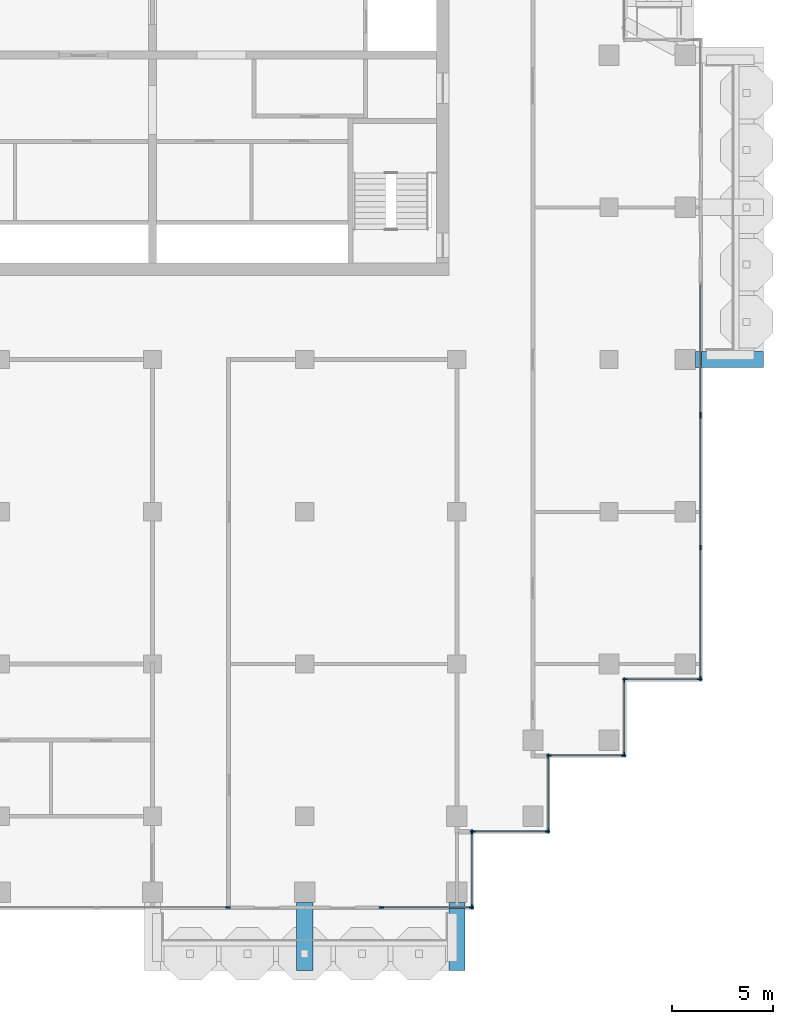
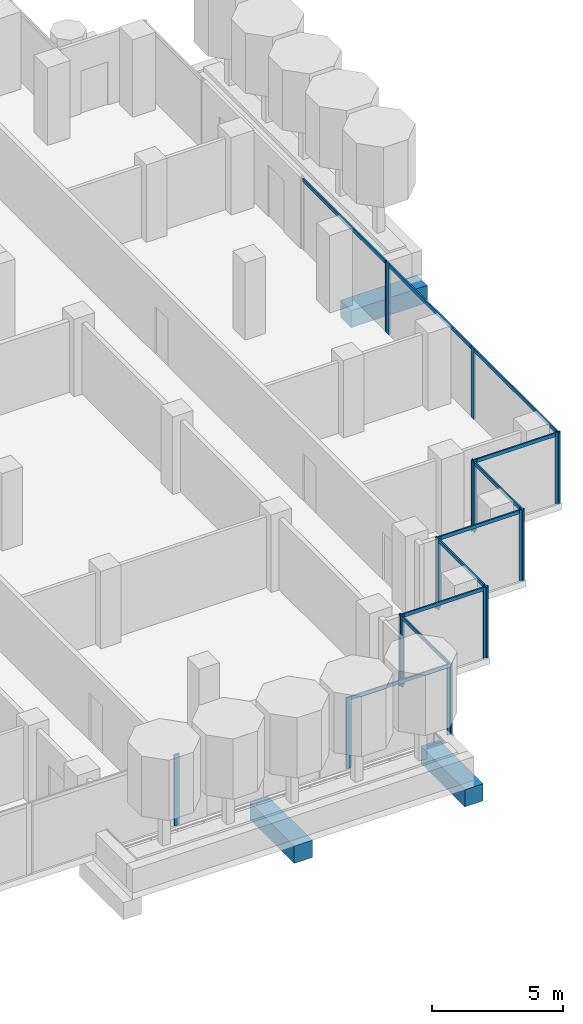
# One storey, part 4 of 18: 29 members, 3 beams, 10 elements without a shape of their own.
"""IFC4 building model written with IfcOpenShell, lengths in metres."""

from ifc_helpers import new_model, si_unit, direction, frame, origin, origin_2d, place, context, subcontext, project, spatial, rectangle, extrude, material, material_profile, profile_set, type_object, element, aggregate, save


model = new_model("IFC4")

# Units and contexts
model_context = context("Model", 3, precision=1e-05, world=origin(), true_north=direction((0.0, 1.0)))
body_context = subcontext(model_context, "Body", "Model", "MODEL_VIEW")
ifc_project = project(units=[si_unit("LENGTHUNIT", "METRE"), si_unit("AREAUNIT", "SQUARE_METRE"), si_unit("VOLUMEUNIT", "CUBIC_METRE"), si_unit("PLANEANGLEUNIT", "RADIAN"), si_unit("MASSUNIT", "GRAM", prefix="KILO")], contexts=[model_context])

# Site, building, storey
site_placement = place(None, origin())
site = spatial("IfcSite", under=ifc_project, at=site_placement, CompositionType="ELEMENT")
building_placement = place(site_placement, origin())
building = spatial("IfcBuilding", under=site, at=building_placement, Name="Pilkhan Gate Tower", CompositionType="ELEMENT")
storey_placement = place(building_placement, frame((0.0, 0.0, 210.300048828125)))
storey = spatial("IfcBuildingStorey", under=building, at=storey_placement, Name="L54", CompositionType="ELEMENT", Elevation=210.300048828125)

# Beams
ifc_material_1 = material(Name="Concrete C50/60", Category="concrete")
ifc_material_profile_1 = material_profile(ifc_material_1, rectangle(XDim=0.800048828125, YDim=0.800048828125, at=origin_2d()), Name="RC 800x800")
ifc_profile_set_1 = profile_set([ifc_material_profile_1], Name="Concrete C50/60")
beam_type = type_object("IfcBeamType", Name="Cantilever beam CB2 RC 800x800 C50/60", PredefinedType="BEAM", material=ifc_profile_set_1)
for number, where, z_axis, x_axis, name in (
    (1, (82.5, 40.75, -0.699951171875), (0.0, -1.0, 0.0), (1.0, 0.0, 0.0), "Balcony beam S.2 L54"),
    (2, (90.0, 40.75, -0.699951171875), (0.0, -1.0, 0.0), (1.0, 0.0, 0.0), "Balcony beam S.3 L54"),
    (3, (101.75, 67.5, -0.699951171875), (1.0, 0.0, 0.0), (0.0, 1.0, 0.0), "Balcony beam E.1 L54"),
):
    element("IfcBeam", number, at=place(storey_placement, frame(where, z_axis=z_axis, x_axis=x_axis)), inside=storey, type_object=beam_type, Name=name, PredefinedType="BEAM", context=body_context, shape_type="SweptSolid", body=[
        extrude(rectangle(XDim=0.800048828125, YDim=0.800048828125, at=origin_2d()), origin(), (0.0, 0.0, 1.0), 3.35009765625),
    ])

# Curtain wall, members
ifc_material_2 = material(Name="Pale anodised aluminium, clear low-iron double glazing", Category="aluminium")
curtain_wall_type = type_object("IfcCurtainWallType", Name="Office unitised curtain wall CW-O2", PredefinedType="USERDEFINED", material=ifc_material_2)
curtain_wall_1_placement = place(storey_placement, origin())
curtain_wall_1 = element("IfcCurtainWall", 4, at=curtain_wall_1_placement, inside=storey, type_object=curtain_wall_type, Name="Office unitised curtain wall CW-O2 L54 E", ObjectType="UNITISED CURTAIN WALL", PredefinedType="USERDEFINED")
ifc_material_3 = material(Name="Pale anodised aluminium", Category="aluminium")
ifc_material_profile_2 = material_profile(ifc_material_3, rectangle(XDim=0.06494140625, YDim=0.22509765625, at=origin_2d()), Name="Mullion 225x65")
ifc_profile_set_2 = profile_set([ifc_material_profile_2], Name="Pale anodised aluminium")
member_type_1 = type_object("IfcMemberType", Name="Mullion CW-O2 225x65", PredefinedType="MULLION", material=ifc_profile_set_2)
member_1_placement = place(storey_placement, frame((102.0, 51.782470703125, 0.0), z_axis=(0.0, 0.0, 1.0), x_axis=(-1.0, 0.0, 0.0)))
member_1 = element("IfcMember", 5, at=member_1_placement, type_object=member_type_1, Name="CW-O2 mullion 1", PredefinedType="MULLION", context=body_context, shape_type="SweptSolid", body=[
    extrude(rectangle(XDim=0.06494140625, YDim=0.22509765625, at=origin_2d()), origin(), (0.0, 0.0, 1.0), 3.300048828125),
])
member_2_placement = place(storey_placement, frame((102.0, 58.25, 0.0), z_axis=(0.0, 0.0, 1.0), x_axis=(-1.0, 0.0, 0.0)))
member_2 = element("IfcMember", 6, at=member_2_placement, type_object=member_type_1, Name="CW-O2 mullion 2", PredefinedType="MULLION", context=body_context, shape_type="SweptSolid", body=[
    extrude(rectangle(XDim=0.06494140625, YDim=0.22509765625, at=origin_2d()), origin(), (0.0, 0.0, 1.0), 3.300048828125),
])
member_3_placement = place(storey_placement, frame((102.0, 64.717529296875, 0.0), z_axis=(0.0, 0.0, 1.0), x_axis=(-1.0, 0.0, 0.0)))
member_3 = element("IfcMember", 7, at=member_3_placement, type_object=member_type_1, Name="CW-O2 mullion 3", PredefinedType="MULLION", context=body_context, shape_type="SweptSolid", body=[
    extrude(rectangle(XDim=0.06494140625, YDim=0.22509765625, at=origin_2d()), origin(), (0.0, 0.0, 1.0), 3.300048828125),
])

# Curtain wall, member
curtain_wall_2_placement = place(storey_placement, origin())
curtain_wall_2 = element("IfcCurtainWall", 8, at=curtain_wall_2_placement, inside=storey, type_object=curtain_wall_type, Name="Office unitised curtain wall CW-O2 L54 E", ObjectType="UNITISED CURTAIN WALL", PredefinedType="USERDEFINED")
member_4_placement = place(storey_placement, frame((102.0, 64.782470703125, 0.0), z_axis=(0.0, 0.0, 1.0), x_axis=(-1.0, 0.0, 0.0)))
member_4 = element("IfcMember", 9, at=member_4_placement, type_object=member_type_1, Name="CW-O2 mullion 1", PredefinedType="MULLION", context=body_context, shape_type="SweptSolid", body=[
    extrude(rectangle(XDim=0.06494140625, YDim=0.22509765625, at=origin_2d()), origin(), (0.0, 0.0, 1.0), 3.300048828125),
])

curtain_wall_3_placement = place(storey_placement, origin())
curtain_wall_3 = element("IfcCurtainWall", 10, at=curtain_wall_3_placement, inside=storey, type_object=curtain_wall_type, Name="Office unitised curtain wall CW-O2 L54 S", ObjectType="UNITISED CURTAIN WALL", PredefinedType="USERDEFINED")
member_5_placement = place(storey_placement, frame((78.717529296875, 40.5, 0.0), z_axis=(0.0, 0.0, 1.0), x_axis=(0.0, 1.0, 0.0)))
member_5 = element("IfcMember", 11, at=member_5_placement, type_object=member_type_1, Name="CW-O2 mullion 2", PredefinedType="MULLION", context=body_context, shape_type="SweptSolid", body=[
    extrude(rectangle(XDim=0.06494140625, YDim=0.22509765625, at=origin_2d()), origin(), (0.0, 0.0, 1.0), 3.300048828125),
])
aggregate(curtain_wall_3, [member_5])

# Curtain wall, members
curtain_wall_4_placement = place(storey_placement, origin())
curtain_wall_4 = element("IfcCurtainWall", 12, at=curtain_wall_4_placement, inside=storey, type_object=curtain_wall_type, Name="Office unitised curtain wall CW-O2 L54 S", ObjectType="UNITISED CURTAIN WALL", PredefinedType="USERDEFINED")
member_6_placement = place(storey_placement, frame((86.282470703125, 40.5, 0.0), z_axis=(0.0, 0.0, 1.0), x_axis=(0.0, 1.0, 0.0)))
member_6 = element("IfcMember", 13, at=member_6_placement, type_object=member_type_1, Name="CW-O2 mullion 1", PredefinedType="MULLION", context=body_context, shape_type="SweptSolid", body=[
    extrude(rectangle(XDim=0.06494140625, YDim=0.22509765625, at=origin_2d()), origin(), (0.0, 0.0, 1.0), 3.300048828125),
])
member_7_placement = place(storey_placement, frame((90.717529296875, 40.5, 0.0), z_axis=(0.0, 0.0, 1.0), x_axis=(0.0, 1.0, 0.0)))
member_7 = element("IfcMember", 14, at=member_7_placement, type_object=member_type_1, Name="CW-O2 mullion 2", PredefinedType="MULLION", context=body_context, shape_type="SweptSolid", body=[
    extrude(rectangle(XDim=0.06494140625, YDim=0.22509765625, at=origin_2d()), origin(), (0.0, 0.0, 1.0), 3.300048828125),
])

curtain_wall_5_placement = place(storey_placement, origin())
curtain_wall_5 = element("IfcCurtainWall", 15, at=curtain_wall_5_placement, inside=storey, type_object=curtain_wall_type, Name="Office unitised curtain wall CW-O2 L54 E", ObjectType="UNITISED CURTAIN WALL", PredefinedType="USERDEFINED")
member_8_placement = place(storey_placement, frame((90.75, 40.532470703125, 0.0), z_axis=(0.0, 0.0, 1.0), x_axis=(-1.0, 0.0, 0.0)))
member_8 = element("IfcMember", 16, at=member_8_placement, type_object=member_type_1, Name="CW-O2 mullion 1", PredefinedType="MULLION", context=body_context, shape_type="SweptSolid", body=[
    extrude(rectangle(XDim=0.06494140625, YDim=0.22509765625, at=origin_2d()), origin(), (0.0, 0.0, 1.0), 3.300048828125),
])
member_9_placement = place(storey_placement, frame((90.75, 44.217529296875, 0.0), z_axis=(0.0, 0.0, 1.0), x_axis=(-1.0, 0.0, 0.0)))
member_9 = element("IfcMember", 17, at=member_9_placement, type_object=member_type_1, Name="CW-O2 mullion 2", PredefinedType="MULLION", context=body_context, shape_type="SweptSolid", body=[
    extrude(rectangle(XDim=0.06494140625, YDim=0.22509765625, at=origin_2d()), origin(), (0.0, 0.0, 1.0), 3.300048828125),
])

curtain_wall_6_placement = place(storey_placement, origin())
curtain_wall_6 = element("IfcCurtainWall", 18, at=curtain_wall_6_placement, inside=storey, type_object=curtain_wall_type, Name="Office unitised curtain wall CW-O2 L54 S", ObjectType="UNITISED CURTAIN WALL", PredefinedType="USERDEFINED")
member_10_placement = place(storey_placement, frame((90.782470703125, 44.25, 0.0), z_axis=(0.0, 0.0, 1.0), x_axis=(0.0, 1.0, 0.0)))
member_10 = element("IfcMember", 19, at=member_10_placement, type_object=member_type_1, Name="CW-O2 mullion 1", PredefinedType="MULLION", context=body_context, shape_type="SweptSolid", body=[
    extrude(rectangle(XDim=0.06494140625, YDim=0.22509765625, at=origin_2d()), origin(), (0.0, 0.0, 1.0), 3.300048828125),
])
member_11_placement = place(storey_placement, frame((94.467529296875, 44.25, 0.0), z_axis=(0.0, 0.0, 1.0), x_axis=(0.0, 1.0, 0.0)))
member_11 = element("IfcMember", 20, at=member_11_placement, type_object=member_type_1, Name="CW-O2 mullion 2", PredefinedType="MULLION", context=body_context, shape_type="SweptSolid", body=[
    extrude(rectangle(XDim=0.06494140625, YDim=0.22509765625, at=origin_2d()), origin(), (0.0, 0.0, 1.0), 3.300048828125),
])

curtain_wall_7_placement = place(storey_placement, origin())
curtain_wall_7 = element("IfcCurtainWall", 21, at=curtain_wall_7_placement, inside=storey, type_object=curtain_wall_type, Name="Office unitised curtain wall CW-O2 L54 E", ObjectType="UNITISED CURTAIN WALL", PredefinedType="USERDEFINED")
member_12_placement = place(storey_placement, frame((94.5, 44.282470703125, 0.0), z_axis=(0.0, 0.0, 1.0), x_axis=(-1.0, 0.0, 0.0)))
member_12 = element("IfcMember", 22, at=member_12_placement, type_object=member_type_1, Name="CW-O2 mullion 1", PredefinedType="MULLION", context=body_context, shape_type="SweptSolid", body=[
    extrude(rectangle(XDim=0.06494140625, YDim=0.22509765625, at=origin_2d()), origin(), (0.0, 0.0, 1.0), 3.300048828125),
])
member_13_placement = place(storey_placement, frame((94.5, 47.967529296875, 0.0), z_axis=(0.0, 0.0, 1.0), x_axis=(-1.0, 0.0, 0.0)))
member_13 = element("IfcMember", 23, at=member_13_placement, type_object=member_type_1, Name="CW-O2 mullion 2", PredefinedType="MULLION", context=body_context, shape_type="SweptSolid", body=[
    extrude(rectangle(XDim=0.06494140625, YDim=0.22509765625, at=origin_2d()), origin(), (0.0, 0.0, 1.0), 3.300048828125),
])

curtain_wall_8_placement = place(storey_placement, origin())
curtain_wall_8 = element("IfcCurtainWall", 24, at=curtain_wall_8_placement, inside=storey, type_object=curtain_wall_type, Name="Office unitised curtain wall CW-O2 L54 S", ObjectType="UNITISED CURTAIN WALL", PredefinedType="USERDEFINED")
member_14_placement = place(storey_placement, frame((94.532470703125, 48.0, 0.0), z_axis=(0.0, 0.0, 1.0), x_axis=(0.0, 1.0, 0.0)))
member_14 = element("IfcMember", 25, at=member_14_placement, type_object=member_type_1, Name="CW-O2 mullion 1", PredefinedType="MULLION", context=body_context, shape_type="SweptSolid", body=[
    extrude(rectangle(XDim=0.06494140625, YDim=0.22509765625, at=origin_2d()), origin(), (0.0, 0.0, 1.0), 3.300048828125),
])
member_15_placement = place(storey_placement, frame((98.217529296875, 48.0, 0.0), z_axis=(0.0, 0.0, 1.0), x_axis=(0.0, 1.0, 0.0)))
member_15 = element("IfcMember", 26, at=member_15_placement, type_object=member_type_1, Name="CW-O2 mullion 2", PredefinedType="MULLION", context=body_context, shape_type="SweptSolid", body=[
    extrude(rectangle(XDim=0.06494140625, YDim=0.22509765625, at=origin_2d()), origin(), (0.0, 0.0, 1.0), 3.300048828125),
])

curtain_wall_9_placement = place(storey_placement, origin())
curtain_wall_9 = element("IfcCurtainWall", 27, at=curtain_wall_9_placement, inside=storey, type_object=curtain_wall_type, Name="Office unitised curtain wall CW-O2 L54 E", ObjectType="UNITISED CURTAIN WALL", PredefinedType="USERDEFINED")
member_16_placement = place(storey_placement, frame((98.25, 48.032470703125, 0.0), z_axis=(0.0, 0.0, 1.0), x_axis=(-1.0, 0.0, 0.0)))
member_16 = element("IfcMember", 28, at=member_16_placement, type_object=member_type_1, Name="CW-O2 mullion 1", PredefinedType="MULLION", context=body_context, shape_type="SweptSolid", body=[
    extrude(rectangle(XDim=0.06494140625, YDim=0.22509765625, at=origin_2d()), origin(), (0.0, 0.0, 1.0), 3.300048828125),
])
member_17_placement = place(storey_placement, frame((98.25, 51.717529296875, 0.0), z_axis=(0.0, 0.0, 1.0), x_axis=(-1.0, 0.0, 0.0)))
member_17 = element("IfcMember", 29, at=member_17_placement, type_object=member_type_1, Name="CW-O2 mullion 2", PredefinedType="MULLION", context=body_context, shape_type="SweptSolid", body=[
    extrude(rectangle(XDim=0.06494140625, YDim=0.22509765625, at=origin_2d()), origin(), (0.0, 0.0, 1.0), 3.300048828125),
])

curtain_wall_10_placement = place(storey_placement, origin())
curtain_wall_10 = element("IfcCurtainWall", 30, at=curtain_wall_10_placement, inside=storey, type_object=curtain_wall_type, Name="Office unitised curtain wall CW-O2 L54 S", ObjectType="UNITISED CURTAIN WALL", PredefinedType="USERDEFINED")
member_18_placement = place(storey_placement, frame((98.282470703125, 51.75, 0.0), z_axis=(0.0, 0.0, 1.0), x_axis=(0.0, 1.0, 0.0)))
member_18 = element("IfcMember", 31, at=member_18_placement, type_object=member_type_1, Name="CW-O2 mullion 1", PredefinedType="MULLION", context=body_context, shape_type="SweptSolid", body=[
    extrude(rectangle(XDim=0.06494140625, YDim=0.22509765625, at=origin_2d()), origin(), (0.0, 0.0, 1.0), 3.300048828125),
])
member_19_placement = place(storey_placement, frame((101.967529296875, 51.75, 0.0), z_axis=(0.0, 0.0, 1.0), x_axis=(0.0, 1.0, 0.0)))
member_19 = element("IfcMember", 32, at=member_19_placement, type_object=member_type_1, Name="CW-O2 mullion 2", PredefinedType="MULLION", context=body_context, shape_type="SweptSolid", body=[
    extrude(rectangle(XDim=0.06494140625, YDim=0.22509765625, at=origin_2d()), origin(), (0.0, 0.0, 1.0), 3.300048828125),
])

# Member
ifc_material_profile_3 = material_profile(ifc_material_3, rectangle(XDim=0.06494140625, YDim=0.1650390625, at=origin_2d()), Name="Transom 165x65")
ifc_profile_set_3 = profile_set([ifc_material_profile_3], Name="Pale anodised aluminium")
member_type_2 = type_object("IfcMemberType", Name="Transom CW-O2 165x65", PredefinedType="USERDEFINED", material=ifc_profile_set_3)
member_20_placement = place(storey_placement, frame((102.0, 51.81494140625, 3.217529296875), z_axis=(0.0, 1.0, 0.0), x_axis=(-1.0, 0.0, 0.0)))
member_20 = element("IfcMember", 33, at=member_20_placement, type_object=member_type_2, Name="CW-O2 transom 1", ObjectType="TRANSOM", PredefinedType="USERDEFINED", context=body_context, shape_type="SweptSolid", body=[
    extrude(rectangle(XDim=0.06494140625, YDim=0.1650390625, at=origin_2d()), origin(), (0.0, 0.0, 1.0), 6.402587890625),
])

member_21_placement = place(storey_placement, frame((102.0, 58.282470703125, 3.217529296875), z_axis=(0.0, 1.0, 0.0), x_axis=(-1.0, 0.0, 0.0)))
member_21 = element("IfcMember", 34, at=member_21_placement, type_object=member_type_2, Name="CW-O2 transom 2", ObjectType="TRANSOM", PredefinedType="USERDEFINED", context=body_context, shape_type="SweptSolid", body=[
    extrude(rectangle(XDim=0.06494140625, YDim=0.1650390625, at=origin_2d()), origin(), (0.0, 0.0, 1.0), 6.402587890625),
])

aggregate(curtain_wall_1, [member_1, member_2, member_3, member_20, member_21])

member_22_placement = place(storey_placement, frame((102.0, 64.81494140625, 3.217529296875), z_axis=(0.0, 1.0, 0.0), x_axis=(-1.0, 0.0, 0.0)))
member_22 = element("IfcMember", 35, at=member_22_placement, type_object=member_type_2, Name="CW-O2 transom 1", ObjectType="TRANSOM", PredefinedType="USERDEFINED", context=body_context, shape_type="SweptSolid", body=[
    extrude(rectangle(XDim=0.06494140625, YDim=0.1650390625, at=origin_2d()), origin(), (0.0, 0.0, 1.0), 6.3701171875),
])

aggregate(curtain_wall_2, [member_4, member_22])

member_23_placement = place(storey_placement, frame((86.31494140625, 40.5, 3.217529296875), z_axis=(1.0, 0.0, 0.0), x_axis=(0.0, 1.0, 0.0)))
member_23 = element("IfcMember", 36, at=member_23_placement, type_object=member_type_2, Name="CW-O2 transom 1", ObjectType="TRANSOM", PredefinedType="USERDEFINED", context=body_context, shape_type="SweptSolid", body=[
    extrude(rectangle(XDim=0.06494140625, YDim=0.1650390625, at=origin_2d()), origin(), (0.0, 0.0, 1.0), 4.3701171875),
])

aggregate(curtain_wall_4, [member_6, member_7, member_23])

member_24_placement = place(storey_placement, frame((90.75, 40.56494140625, 3.217529296875), z_axis=(0.0, 1.0, 0.0), x_axis=(-1.0, 0.0, 0.0)))
member_24 = element("IfcMember", 37, at=member_24_placement, type_object=member_type_2, Name="CW-O2 transom 1", ObjectType="TRANSOM", PredefinedType="USERDEFINED", context=body_context, shape_type="SweptSolid", body=[
    extrude(rectangle(XDim=0.06494140625, YDim=0.1650390625, at=origin_2d()), origin(), (0.0, 0.0, 1.0), 3.6201171875),
])

aggregate(curtain_wall_5, [member_8, member_9, member_24])

member_25_placement = place(storey_placement, frame((90.81494140625, 44.25, 3.217529296875), z_axis=(1.0, 0.0, 0.0), x_axis=(0.0, 1.0, 0.0)))
member_25 = element("IfcMember", 38, at=member_25_placement, type_object=member_type_2, Name="CW-O2 transom 1", ObjectType="TRANSOM", PredefinedType="USERDEFINED", context=body_context, shape_type="SweptSolid", body=[
    extrude(rectangle(XDim=0.06494140625, YDim=0.1650390625, at=origin_2d()), origin(), (0.0, 0.0, 1.0), 3.6201171875),
])

aggregate(curtain_wall_6, [member_10, member_11, member_25])

member_26_placement = place(storey_placement, frame((94.5, 44.31494140625, 3.217529296875), z_axis=(0.0, 1.0, 0.0), x_axis=(-1.0, 0.0, 0.0)))
member_26 = element("IfcMember", 39, at=member_26_placement, type_object=member_type_2, Name="CW-O2 transom 1", ObjectType="TRANSOM", PredefinedType="USERDEFINED", context=body_context, shape_type="SweptSolid", body=[
    extrude(rectangle(XDim=0.06494140625, YDim=0.1650390625, at=origin_2d()), origin(), (0.0, 0.0, 1.0), 3.6201171875),
])

aggregate(curtain_wall_7, [member_12, member_13, member_26])

member_27_placement = place(storey_placement, frame((94.56494140625, 48.0, 3.217529296875), z_axis=(1.0, 0.0, 0.0), x_axis=(0.0, 1.0, 0.0)))
member_27 = element("IfcMember", 40, at=member_27_placement, type_object=member_type_2, Name="CW-O2 transom 1", ObjectType="TRANSOM", PredefinedType="USERDEFINED", context=body_context, shape_type="SweptSolid", body=[
    extrude(rectangle(XDim=0.06494140625, YDim=0.1650390625, at=origin_2d()), origin(), (0.0, 0.0, 1.0), 3.6201171875),
])

aggregate(curtain_wall_8, [member_14, member_15, member_27])

member_28_placement = place(storey_placement, frame((98.25, 48.06494140625, 3.217529296875), z_axis=(0.0, 1.0, 0.0), x_axis=(-1.0, 0.0, 0.0)))
member_28 = element("IfcMember", 41, at=member_28_placement, type_object=member_type_2, Name="CW-O2 transom 1", ObjectType="TRANSOM", PredefinedType="USERDEFINED", context=body_context, shape_type="SweptSolid", body=[
    extrude(rectangle(XDim=0.06494140625, YDim=0.1650390625, at=origin_2d()), origin(), (0.0, 0.0, 1.0), 3.6201171875),
])

aggregate(curtain_wall_9, [member_16, member_17, member_28])

member_29_placement = place(storey_placement, frame((98.31494140625, 51.75, 3.217529296875), z_axis=(1.0, 0.0, 0.0), x_axis=(0.0, 1.0, 0.0)))
member_29 = element("IfcMember", 42, at=member_29_placement, type_object=member_type_2, Name="CW-O2 transom 1", ObjectType="TRANSOM", PredefinedType="USERDEFINED", context=body_context, shape_type="SweptSolid", body=[
    extrude(rectangle(XDim=0.06494140625, YDim=0.1650390625, at=origin_2d()), origin(), (0.0, 0.0, 1.0), 3.6201171875),
])

aggregate(curtain_wall_10, [member_18, member_19, member_29])

save(model, "model.ifc")
